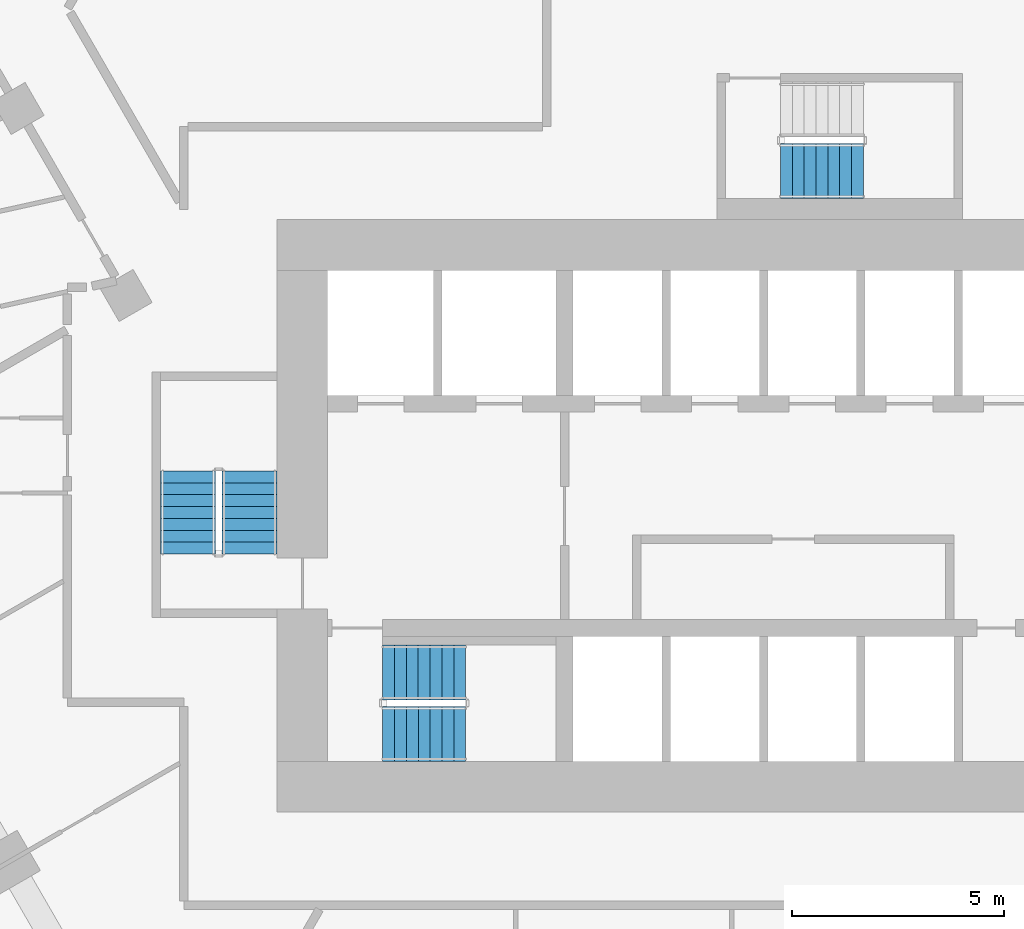
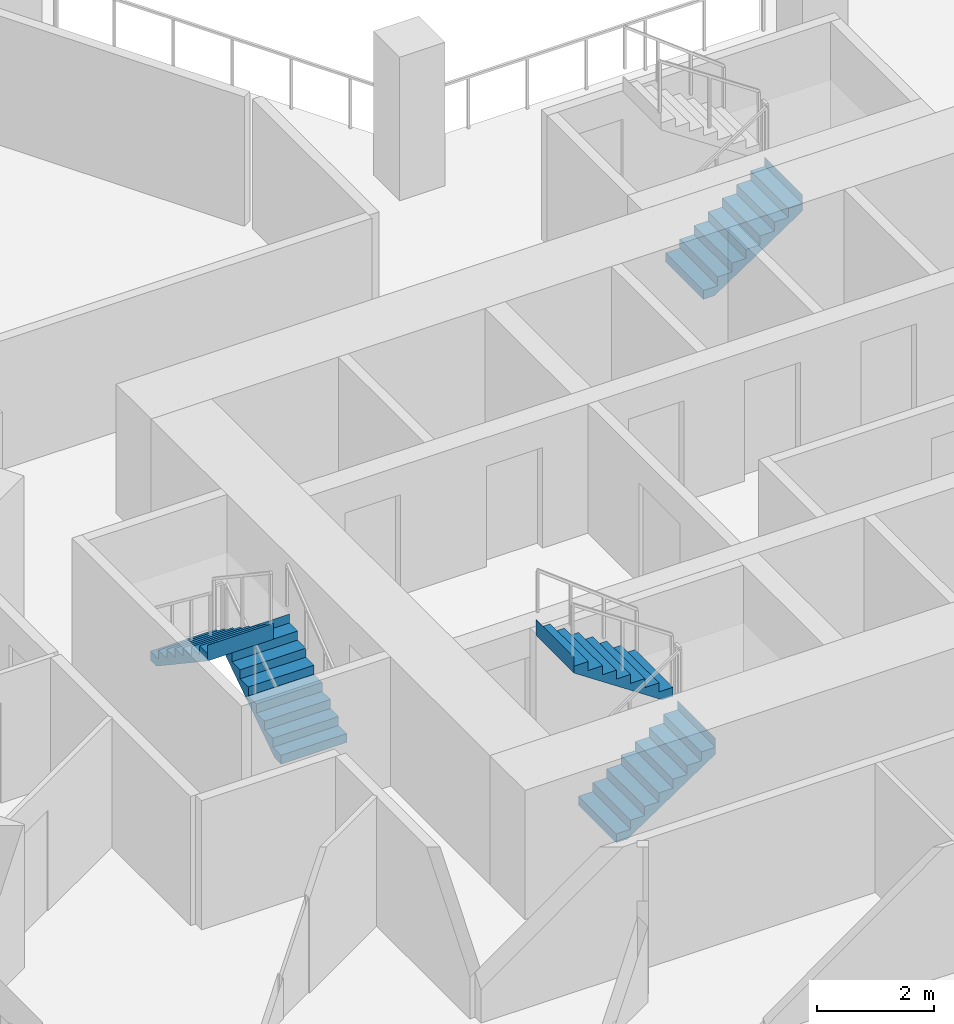
# One storey, part 11 of 16: 5 stair flights, 3 elements without a shape of their own.
"""IFC4 building model written with IfcOpenShell, lengths in metres."""

from ifc_helpers import new_model, si_unit, direction, frame, origin, place, context, subcontext, project, spatial, triangles, material, type_object, element, aggregate, save


model = new_model("IFC4")

# Units and contexts
model_context = context("Model", 3, precision=1e-05, world=origin(), true_north=direction((0.0, 1.0)))
body_context = subcontext(model_context, "Body", "Model", "MODEL_VIEW")
ifc_project = project(units=[si_unit("LENGTHUNIT", "METRE"), si_unit("AREAUNIT", "SQUARE_METRE"), si_unit("VOLUMEUNIT", "CUBIC_METRE"), si_unit("PLANEANGLEUNIT", "RADIAN"), si_unit("MASSUNIT", "GRAM", prefix="KILO")], contexts=[model_context])

# Site, building, storey
site_placement = place(None, origin())
site = spatial("IfcSite", under=ifc_project, at=site_placement, CompositionType="ELEMENT")
building_placement = place(site_placement, origin())
building = spatial("IfcBuilding", under=site, at=building_placement, Name="Beryl Residences", CompositionType="ELEMENT")
storey_placement = place(building_placement, frame((0.0, 0.0, 26.39990234375)))
storey = spatial("IfcBuildingStorey", under=building, at=storey_placement, Name="L07", CompositionType="ELEMENT", Elevation=26.39990234375)

# Stair, stair flights
ifc_material_1 = material(Name="Concrete C40/50", Category="concrete")
stair_type = type_object("IfcStairType", Name="ST1 protected exit stair, half-turn, 1300 mm flights", PredefinedType="HALF_TURN_STAIR", material=ifc_material_1)
stair_1_placement = place(storey_placement, origin())
stair_1 = element("IfcStair", 1, at=stair_1_placement, inside=storey, type_object=stair_type, Name="L07 PROTECTED EXIT STAIR ST-1", PredefinedType="HALF_TURN_STAIR")
ifc_material_2 = material(Name="Concrete C40/50", Category="concrete")
stair_flight_type = type_object("IfcStairFlightType", Name="SF1 stair flight 1300 mm", PredefinedType="STRAIGHT", material=ifc_material_2)
stair_flight_1_placement = place(storey_placement, frame((-10.800048828125, -17.14990234375, 0.0), z_axis=(0.0, 0.0, 1.0), x_axis=(1.0, 0.0, 0.0)))
stair_flight_1 = element("IfcStairFlight", 2, at=stair_flight_1_placement, type_object=stair_flight_type, Name="ST-1 flight 1", NumberOfRisers=8, NumberOfTreads=7, PredefinedType="STRAIGHT", RiserHeight=0.1875, TreadLength=0.28, context=body_context, shape_type="Tessellation", body=[
    triangles([(0.0, -0.64990234375, 0.0), (0.0, -0.324951171875, 0.0), (0.0, 0.0, 0.0), (0.0, 0.324951171875, 0.0), (0.0, 0.64990234375, 0.0), (0.0, -0.64990234375, 0.1875), (0.0, -0.324951171875, 0.1875), (0.0, 0.0, 0.1875), (0.0, 0.324951171875, 0.1875), (0.0, 0.64990234375, 0.1875), (0.280029296875, -0.64990234375, 0.1875), (0.280029296875, -0.324951171875, 0.1875), (0.280029296875, 0.0, 0.1875), (0.280029296875, 0.324951171875, 0.1875), (0.280029296875, 0.64990234375, 0.1875), (0.280029296875, -0.64990234375, 0.375), (0.280029296875, -0.324951171875, 0.375), (0.280029296875, 0.0, 0.375), (0.280029296875, 0.324951171875, 0.375), (0.280029296875, 0.64990234375, 0.375), (0.56005859375, -0.64990234375, 0.375), (0.56005859375, -0.324951171875, 0.375), (0.56005859375, 0.0, 0.375), (0.56005859375, 0.324951171875, 0.375), (0.56005859375, 0.64990234375, 0.375), (0.56005859375, -0.64990234375, 0.5625), (0.56005859375, -0.324951171875, 0.5625), (0.56005859375, 0.0, 0.5625), (0.56005859375, 0.324951171875, 0.5625), (0.56005859375, 0.64990234375, 0.5625), (0.840087890625, -0.64990234375, 0.5625), (0.840087890625, -0.324951171875, 0.5625), (0.840087890625, 0.0, 0.5625), (0.840087890625, 0.324951171875, 0.5625), (0.840087890625, 0.64990234375, 0.5625), (0.840087890625, -0.64990234375, 0.75), (0.840087890625, -0.324951171875, 0.75), (0.840087890625, 0.0, 0.75), (0.840087890625, 0.324951171875, 0.75), (0.840087890625, 0.64990234375, 0.75), (1.1201171875, -0.64990234375, 0.75), (1.1201171875, -0.324951171875, 0.75), (1.1201171875, 0.0, 0.75), (1.1201171875, 0.324951171875, 0.75), (1.1201171875, 0.64990234375, 0.75), (1.1201171875, -0.64990234375, 0.9375), (1.1201171875, -0.324951171875, 0.9375), (1.1201171875, 0.0, 0.9375), (1.1201171875, 0.324951171875, 0.9375), (1.1201171875, 0.64990234375, 0.9375), (1.39990234375, -0.64990234375, 0.9375), (1.39990234375, -0.324951171875, 0.9375), (1.39990234375, 0.0, 0.9375), (1.39990234375, 0.324951171875, 0.9375), (1.39990234375, 0.64990234375, 0.9375), (1.39990234375, -0.64990234375, 1.125), (1.39990234375, -0.324951171875, 1.125), (1.39990234375, 0.0, 1.125), (1.39990234375, 0.324951171875, 1.125), (1.39990234375, 0.64990234375, 1.125), (1.679931640625, -0.64990234375, 1.125), (1.679931640625, -0.324951171875, 1.125), (1.679931640625, 0.0, 1.125), (1.679931640625, 0.324951171875, 1.125), (1.679931640625, 0.64990234375, 1.125), (1.679931640625, -0.64990234375, 1.3125), (1.679931640625, -0.324951171875, 1.3125), (1.679931640625, 0.0, 1.3125), (1.679931640625, 0.324951171875, 1.3125), (1.679931640625, 0.64990234375, 1.3125), (1.9599609375, -0.64990234375, 1.3125), (1.9599609375, -0.324951171875, 1.3125), (1.9599609375, 0.0, 1.3125), (1.9599609375, 0.324951171875, 1.3125), (1.9599609375, 0.64990234375, 1.3125), (1.9599609375, -0.64990234375, 1.5), (1.9599609375, -0.324951171875, 1.5), (1.9599609375, 0.0, 1.5), (1.9599609375, 0.324951171875, 1.5), (1.9599609375, 0.64990234375, 1.5), (1.9609375, -0.64990234375, 1.5), (1.9609375, -0.324951171875, 1.5), (1.9609375, 0.0, 1.5), (1.9609375, 0.324951171875, 1.5), (1.9609375, 0.64990234375, 1.5), (1.9609375, -0.64990234375, 1.16796875), (1.9609375, -0.324951171875, 1.16796875), (1.9609375, 0.0, 1.16796875), (1.9609375, 0.324951171875, 1.16796875), (1.9609375, 0.64990234375, 1.16796875), (0.216796875, -0.64990234375, 0.0), (0.216796875, -0.324951171875, 0.0), (0.216796875, 0.0, 0.0), (0.216796875, 0.324951171875, 0.0), (0.216796875, 0.64990234375, 0.0)], [[1, 6, 7], [1, 7, 2], [2, 7, 8], [2, 8, 3], [3, 8, 9], [3, 9, 4], [4, 9, 10], [4, 10, 5], [6, 11, 12], [6, 12, 7], [7, 12, 13], [7, 13, 8], [8, 13, 14], [8, 14, 9], [9, 14, 15], [9, 15, 10], [11, 16, 17], [11, 17, 12], [12, 17, 18], [12, 18, 13], [13, 18, 19], [13, 19, 14], [14, 19, 20], [14, 20, 15], [16, 21, 22], [16, 22, 17], [17, 22, 23], [17, 23, 18], [18, 23, 24], [18, 24, 19], [19, 24, 25], [19, 25, 20], [21, 26, 27], [21, 27, 22], [22, 27, 28], [22, 28, 23], [23, 28, 29], [23, 29, 24], [24, 29, 30], [24, 30, 25], [26, 31, 32], [26, 32, 27], [27, 32, 33], [27, 33, 28], [28, 33, 34], [28, 34, 29], [29, 34, 35], [29, 35, 30], [31, 36, 37], [31, 37, 32], [32, 37, 38], [32, 38, 33], [33, 38, 39], [33, 39, 34], [34, 39, 40], [34, 40, 35], [36, 41, 42], [36, 42, 37], [37, 42, 43], [37, 43, 38], [38, 43, 44], [38, 44, 39], [39, 44, 45], [39, 45, 40], [41, 46, 47], [41, 47, 42], [42, 47, 48], [42, 48, 43], [43, 48, 49], [43, 49, 44], [44, 49, 50], [44, 50, 45], [46, 51, 52], [46, 52, 47], [47, 52, 53], [47, 53, 48], [48, 53, 54], [48, 54, 49], [49, 54, 55], [49, 55, 50], [51, 56, 57], [51, 57, 52], [52, 57, 58], [52, 58, 53], [53, 58, 59], [53, 59, 54], [54, 59, 60], [54, 60, 55], [56, 61, 62], [56, 62, 57], [57, 62, 63], [57, 63, 58], [58, 63, 64], [58, 64, 59], [59, 64, 65], [59, 65, 60], [61, 66, 67], [61, 67, 62], [62, 67, 68], [62, 68, 63], [63, 68, 69], [63, 69, 64], [64, 69, 70], [64, 70, 65], [66, 71, 72], [66, 72, 67], [67, 72, 73], [67, 73, 68], [68, 73, 74], [68, 74, 69], [69, 74, 75], [69, 75, 70], [71, 76, 77], [71, 77, 72], [72, 77, 78], [72, 78, 73], [73, 78, 79], [73, 79, 74], [74, 79, 80], [74, 80, 75], [76, 81, 82], [76, 82, 77], [77, 82, 83], [77, 83, 78], [78, 83, 84], [78, 84, 79], [79, 84, 85], [79, 85, 80], [81, 86, 87], [81, 87, 82], [82, 87, 88], [82, 88, 83], [83, 88, 89], [83, 89, 84], [84, 89, 90], [84, 90, 85], [86, 91, 92], [86, 92, 87], [87, 92, 93], [87, 93, 88], [88, 93, 94], [88, 94, 89], [89, 94, 95], [89, 95, 90], [91, 1, 2], [91, 2, 92], [92, 2, 3], [92, 3, 93], [93, 3, 4], [93, 4, 94], [94, 4, 5], [94, 5, 95], [1, 91, 86], [5, 90, 95], [86, 81, 76], [90, 80, 85], [86, 76, 71], [90, 75, 80], [86, 71, 66], [90, 70, 75], [86, 66, 61], [90, 65, 70], [61, 56, 51], [65, 55, 60], [86, 61, 51], [90, 55, 65], [51, 46, 41], [55, 45, 50], [86, 51, 41], [90, 45, 55], [41, 36, 31], [45, 35, 40], [86, 41, 31], [90, 35, 45], [31, 26, 21], [35, 25, 30], [86, 31, 21], [90, 25, 35], [21, 16, 11], [25, 15, 20], [86, 21, 11], [90, 15, 25], [1, 86, 11], [5, 15, 90], [11, 6, 1], [15, 5, 10]], closed=True),
])
stair_flight_2_placement = place(storey_placement, frame((-8.840087890625, -15.699951171875, 1.5), z_axis=(0.0, 0.0, 1.0), x_axis=(-1.0, 0.0, 0.0)))
stair_flight_2 = element("IfcStairFlight", 3, at=stair_flight_2_placement, type_object=stair_flight_type, Name="ST-1 flight 2", NumberOfRisers=8, NumberOfTreads=7, PredefinedType="STRAIGHT", RiserHeight=0.1875, TreadLength=0.28, context=body_context, shape_type="Tessellation", body=[
    triangles([(0.0, -0.64990234375, 0.0), (0.0, -0.324951171875, 0.0), (0.0, 0.0, 0.0), (0.0, 0.324951171875, 0.0), (0.0, 0.64990234375, 0.0), (0.0, -0.64990234375, 0.1875), (0.0, -0.324951171875, 0.1875), (0.0, 0.0, 0.1875), (0.0, 0.324951171875, 0.1875), (0.0, 0.64990234375, 0.1875), (0.280029296875, -0.64990234375, 0.1875), (0.280029296875, -0.324951171875, 0.1875), (0.280029296875, 0.0, 0.1875), (0.280029296875, 0.324951171875, 0.1875), (0.280029296875, 0.64990234375, 0.1875), (0.280029296875, -0.64990234375, 0.375), (0.280029296875, -0.324951171875, 0.375), (0.280029296875, 0.0, 0.375), (0.280029296875, 0.324951171875, 0.375), (0.280029296875, 0.64990234375, 0.375), (0.56005859375, -0.64990234375, 0.375), (0.56005859375, -0.324951171875, 0.375), (0.56005859375, 0.0, 0.375), (0.56005859375, 0.324951171875, 0.375), (0.56005859375, 0.64990234375, 0.375), (0.56005859375, -0.64990234375, 0.5625), (0.56005859375, -0.324951171875, 0.5625), (0.56005859375, 0.0, 0.5625), (0.56005859375, 0.324951171875, 0.5625), (0.56005859375, 0.64990234375, 0.5625), (0.840087890625, -0.64990234375, 0.5625), (0.840087890625, -0.324951171875, 0.5625), (0.840087890625, 0.0, 0.5625), (0.840087890625, 0.324951171875, 0.5625), (0.840087890625, 0.64990234375, 0.5625), (0.840087890625, -0.64990234375, 0.75), (0.840087890625, -0.324951171875, 0.75), (0.840087890625, 0.0, 0.75), (0.840087890625, 0.324951171875, 0.75), (0.840087890625, 0.64990234375, 0.75), (1.1201171875, -0.64990234375, 0.75), (1.1201171875, -0.324951171875, 0.75), (1.1201171875, 0.0, 0.75), (1.1201171875, 0.324951171875, 0.75), (1.1201171875, 0.64990234375, 0.75), (1.1201171875, -0.64990234375, 0.9375), (1.1201171875, -0.324951171875, 0.9375), (1.1201171875, 0.0, 0.9375), (1.1201171875, 0.324951171875, 0.9375), (1.1201171875, 0.64990234375, 0.9375), (1.39990234375, -0.64990234375, 0.9375), (1.39990234375, -0.324951171875, 0.9375), (1.39990234375, 0.0, 0.9375), (1.39990234375, 0.324951171875, 0.9375), (1.39990234375, 0.64990234375, 0.9375), (1.39990234375, -0.64990234375, 1.125), (1.39990234375, -0.324951171875, 1.125), (1.39990234375, 0.0, 1.125), (1.39990234375, 0.324951171875, 1.125), (1.39990234375, 0.64990234375, 1.125), (1.679931640625, -0.64990234375, 1.125), (1.679931640625, -0.324951171875, 1.125), (1.679931640625, 0.0, 1.125), (1.679931640625, 0.324951171875, 1.125), (1.679931640625, 0.64990234375, 1.125), (1.679931640625, -0.64990234375, 1.3125), (1.679931640625, -0.324951171875, 1.3125), (1.679931640625, 0.0, 1.3125), (1.679931640625, 0.324951171875, 1.3125), (1.679931640625, 0.64990234375, 1.3125), (1.9599609375, -0.64990234375, 1.3125), (1.9599609375, -0.324951171875, 1.3125), (1.9599609375, 0.0, 1.3125), (1.9599609375, 0.324951171875, 1.3125), (1.9599609375, 0.64990234375, 1.3125), (1.9599609375, -0.64990234375, 1.5), (1.9599609375, -0.324951171875, 1.5), (1.9599609375, 0.0, 1.5), (1.9599609375, 0.324951171875, 1.5), (1.9599609375, 0.64990234375, 1.5), (1.9609375, -0.64990234375, 1.5), (1.9609375, -0.324951171875, 1.5), (1.9609375, 0.0, 1.5), (1.9609375, 0.324951171875, 1.5), (1.9609375, 0.64990234375, 1.5), (1.9609375, -0.64990234375, 1.16796875), (1.9609375, -0.324951171875, 1.16796875), (1.9609375, 0.0, 1.16796875), (1.9609375, 0.324951171875, 1.16796875), (1.9609375, 0.64990234375, 1.16796875), (0.216796875, -0.64990234375, 0.0), (0.216796875, -0.324951171875, 0.0), (0.216796875, 0.0, 0.0), (0.216796875, 0.324951171875, 0.0), (0.216796875, 0.64990234375, 0.0)], [[1, 6, 7], [1, 7, 2], [2, 7, 8], [2, 8, 3], [3, 8, 9], [3, 9, 4], [4, 9, 10], [4, 10, 5], [6, 11, 12], [6, 12, 7], [7, 12, 13], [7, 13, 8], [8, 13, 14], [8, 14, 9], [9, 14, 15], [9, 15, 10], [11, 16, 17], [11, 17, 12], [12, 17, 18], [12, 18, 13], [13, 18, 19], [13, 19, 14], [14, 19, 20], [14, 20, 15], [16, 21, 22], [16, 22, 17], [17, 22, 23], [17, 23, 18], [18, 23, 24], [18, 24, 19], [19, 24, 25], [19, 25, 20], [21, 26, 27], [21, 27, 22], [22, 27, 28], [22, 28, 23], [23, 28, 29], [23, 29, 24], [24, 29, 30], [24, 30, 25], [26, 31, 32], [26, 32, 27], [27, 32, 33], [27, 33, 28], [28, 33, 34], [28, 34, 29], [29, 34, 35], [29, 35, 30], [31, 36, 37], [31, 37, 32], [32, 37, 38], [32, 38, 33], [33, 38, 39], [33, 39, 34], [34, 39, 40], [34, 40, 35], [36, 41, 42], [36, 42, 37], [37, 42, 43], [37, 43, 38], [38, 43, 44], [38, 44, 39], [39, 44, 45], [39, 45, 40], [41, 46, 47], [41, 47, 42], [42, 47, 48], [42, 48, 43], [43, 48, 49], [43, 49, 44], [44, 49, 50], [44, 50, 45], [46, 51, 52], [46, 52, 47], [47, 52, 53], [47, 53, 48], [48, 53, 54], [48, 54, 49], [49, 54, 55], [49, 55, 50], [51, 56, 57], [51, 57, 52], [52, 57, 58], [52, 58, 53], [53, 58, 59], [53, 59, 54], [54, 59, 60], [54, 60, 55], [56, 61, 62], [56, 62, 57], [57, 62, 63], [57, 63, 58], [58, 63, 64], [58, 64, 59], [59, 64, 65], [59, 65, 60], [61, 66, 67], [61, 67, 62], [62, 67, 68], [62, 68, 63], [63, 68, 69], [63, 69, 64], [64, 69, 70], [64, 70, 65], [66, 71, 72], [66, 72, 67], [67, 72, 73], [67, 73, 68], [68, 73, 74], [68, 74, 69], [69, 74, 75], [69, 75, 70], [71, 76, 77], [71, 77, 72], [72, 77, 78], [72, 78, 73], [73, 78, 79], [73, 79, 74], [74, 79, 80], [74, 80, 75], [76, 81, 82], [76, 82, 77], [77, 82, 83], [77, 83, 78], [78, 83, 84], [78, 84, 79], [79, 84, 85], [79, 85, 80], [81, 86, 87], [81, 87, 82], [82, 87, 88], [82, 88, 83], [83, 88, 89], [83, 89, 84], [84, 89, 90], [84, 90, 85], [86, 91, 92], [86, 92, 87], [87, 92, 93], [87, 93, 88], [88, 93, 94], [88, 94, 89], [89, 94, 95], [89, 95, 90], [91, 1, 2], [91, 2, 92], [92, 2, 3], [92, 3, 93], [93, 3, 4], [93, 4, 94], [94, 4, 5], [94, 5, 95], [1, 91, 86], [5, 90, 95], [86, 81, 76], [90, 80, 85], [86, 76, 71], [90, 75, 80], [86, 71, 66], [90, 70, 75], [86, 66, 61], [90, 65, 70], [61, 56, 51], [65, 55, 60], [86, 61, 51], [90, 55, 65], [51, 46, 41], [55, 45, 50], [86, 51, 41], [90, 45, 55], [41, 36, 31], [45, 35, 40], [86, 41, 31], [90, 35, 45], [31, 26, 21], [35, 25, 30], [86, 31, 21], [90, 25, 35], [21, 16, 11], [25, 15, 20], [86, 21, 11], [90, 15, 25], [1, 86, 11], [5, 15, 90], [11, 6, 1], [15, 5, 10]], closed=True),
])
aggregate(stair_1, [stair_flight_1, stair_flight_2])

stair_2_placement = place(storey_placement, origin())
stair_2 = element("IfcStair", 4, at=stair_2_placement, inside=storey, type_object=stair_type, Name="L07 PROTECTED EXIT STAIR ST-2", PredefinedType="HALF_TURN_STAIR")
stair_flight_3_placement = place(storey_placement, frame((-13.949951171875, -12.89990234375, 0.0), z_axis=(0.0, 0.0, 1.0), x_axis=(0.0, 1.0, 0.0)))
stair_flight_3 = element("IfcStairFlight", 5, at=stair_flight_3_placement, type_object=stair_flight_type, Name="ST-2 flight 1", NumberOfRisers=8, NumberOfTreads=7, PredefinedType="STRAIGHT", RiserHeight=0.1875, TreadLength=0.28, context=body_context, shape_type="Tessellation", body=[
    triangles([(0.0, -0.64990234375, 0.0), (0.0, -0.324951171875, 0.0), (0.0, 0.0, 0.0), (0.0, 0.324951171875, 0.0), (0.0, 0.64990234375, 0.0), (0.0, -0.64990234375, 0.1875), (0.0, -0.324951171875, 0.1875), (0.0, 0.0, 0.1875), (0.0, 0.324951171875, 0.1875), (0.0, 0.64990234375, 0.1875), (0.280029296875, -0.64990234375, 0.1875), (0.280029296875, -0.324951171875, 0.1875), (0.280029296875, 0.0, 0.1875), (0.280029296875, 0.324951171875, 0.1875), (0.280029296875, 0.64990234375, 0.1875), (0.280029296875, -0.64990234375, 0.375), (0.280029296875, -0.324951171875, 0.375), (0.280029296875, 0.0, 0.375), (0.280029296875, 0.324951171875, 0.375), (0.280029296875, 0.64990234375, 0.375), (0.56005859375, -0.64990234375, 0.375), (0.56005859375, -0.324951171875, 0.375), (0.56005859375, 0.0, 0.375), (0.56005859375, 0.324951171875, 0.375), (0.56005859375, 0.64990234375, 0.375), (0.56005859375, -0.64990234375, 0.5625), (0.56005859375, -0.324951171875, 0.5625), (0.56005859375, 0.0, 0.5625), (0.56005859375, 0.324951171875, 0.5625), (0.56005859375, 0.64990234375, 0.5625), (0.840087890625, -0.64990234375, 0.5625), (0.840087890625, -0.324951171875, 0.5625), (0.840087890625, 0.0, 0.5625), (0.840087890625, 0.324951171875, 0.5625), (0.840087890625, 0.64990234375, 0.5625), (0.840087890625, -0.64990234375, 0.75), (0.840087890625, -0.324951171875, 0.75), (0.840087890625, 0.0, 0.75), (0.840087890625, 0.324951171875, 0.75), (0.840087890625, 0.64990234375, 0.75), (1.1201171875, -0.64990234375, 0.75), (1.1201171875, -0.324951171875, 0.75), (1.1201171875, 0.0, 0.75), (1.1201171875, 0.324951171875, 0.75), (1.1201171875, 0.64990234375, 0.75), (1.1201171875, -0.64990234375, 0.9375), (1.1201171875, -0.324951171875, 0.9375), (1.1201171875, 0.0, 0.9375), (1.1201171875, 0.324951171875, 0.9375), (1.1201171875, 0.64990234375, 0.9375), (1.39990234375, -0.64990234375, 0.9375), (1.39990234375, -0.324951171875, 0.9375), (1.39990234375, 0.0, 0.9375), (1.39990234375, 0.324951171875, 0.9375), (1.39990234375, 0.64990234375, 0.9375), (1.39990234375, -0.64990234375, 1.125), (1.39990234375, -0.324951171875, 1.125), (1.39990234375, 0.0, 1.125), (1.39990234375, 0.324951171875, 1.125), (1.39990234375, 0.64990234375, 1.125), (1.679931640625, -0.64990234375, 1.125), (1.679931640625, -0.324951171875, 1.125), (1.679931640625, 0.0, 1.125), (1.679931640625, 0.324951171875, 1.125), (1.679931640625, 0.64990234375, 1.125), (1.679931640625, -0.64990234375, 1.3125), (1.679931640625, -0.324951171875, 1.3125), (1.679931640625, 0.0, 1.3125), (1.679931640625, 0.324951171875, 1.3125), (1.679931640625, 0.64990234375, 1.3125), (1.9599609375, -0.64990234375, 1.3125), (1.9599609375, -0.324951171875, 1.3125), (1.9599609375, 0.0, 1.3125), (1.9599609375, 0.324951171875, 1.3125), (1.9599609375, 0.64990234375, 1.3125), (1.9599609375, -0.64990234375, 1.5), (1.9599609375, -0.324951171875, 1.5), (1.9599609375, 0.0, 1.5), (1.9599609375, 0.324951171875, 1.5), (1.9599609375, 0.64990234375, 1.5), (1.9609375, -0.64990234375, 1.5), (1.9609375, -0.324951171875, 1.5), (1.9609375, 0.0, 1.5), (1.9609375, 0.324951171875, 1.5), (1.9609375, 0.64990234375, 1.5), (1.9609375, -0.64990234375, 1.16796875), (1.9609375, -0.324951171875, 1.16796875), (1.9609375, 0.0, 1.16796875), (1.9609375, 0.324951171875, 1.16796875), (1.9609375, 0.64990234375, 1.16796875), (0.216796875, -0.64990234375, 0.0), (0.216796875, -0.324951171875, 0.0), (0.216796875, 0.0, 0.0), (0.216796875, 0.324951171875, 0.0), (0.216796875, 0.64990234375, 0.0)], [[1, 6, 7], [1, 7, 2], [2, 7, 8], [2, 8, 3], [3, 8, 9], [3, 9, 4], [4, 9, 10], [4, 10, 5], [6, 11, 12], [6, 12, 7], [7, 12, 13], [7, 13, 8], [8, 13, 14], [8, 14, 9], [9, 14, 15], [9, 15, 10], [11, 16, 17], [11, 17, 12], [12, 17, 18], [12, 18, 13], [13, 18, 19], [13, 19, 14], [14, 19, 20], [14, 20, 15], [16, 21, 22], [16, 22, 17], [17, 22, 23], [17, 23, 18], [18, 23, 24], [18, 24, 19], [19, 24, 25], [19, 25, 20], [21, 26, 27], [21, 27, 22], [22, 27, 28], [22, 28, 23], [23, 28, 29], [23, 29, 24], [24, 29, 30], [24, 30, 25], [26, 31, 32], [26, 32, 27], [27, 32, 33], [27, 33, 28], [28, 33, 34], [28, 34, 29], [29, 34, 35], [29, 35, 30], [31, 36, 37], [31, 37, 32], [32, 37, 38], [32, 38, 33], [33, 38, 39], [33, 39, 34], [34, 39, 40], [34, 40, 35], [36, 41, 42], [36, 42, 37], [37, 42, 43], [37, 43, 38], [38, 43, 44], [38, 44, 39], [39, 44, 45], [39, 45, 40], [41, 46, 47], [41, 47, 42], [42, 47, 48], [42, 48, 43], [43, 48, 49], [43, 49, 44], [44, 49, 50], [44, 50, 45], [46, 51, 52], [46, 52, 47], [47, 52, 53], [47, 53, 48], [48, 53, 54], [48, 54, 49], [49, 54, 55], [49, 55, 50], [51, 56, 57], [51, 57, 52], [52, 57, 58], [52, 58, 53], [53, 58, 59], [53, 59, 54], [54, 59, 60], [54, 60, 55], [56, 61, 62], [56, 62, 57], [57, 62, 63], [57, 63, 58], [58, 63, 64], [58, 64, 59], [59, 64, 65], [59, 65, 60], [61, 66, 67], [61, 67, 62], [62, 67, 68], [62, 68, 63], [63, 68, 69], [63, 69, 64], [64, 69, 70], [64, 70, 65], [66, 71, 72], [66, 72, 67], [67, 72, 73], [67, 73, 68], [68, 73, 74], [68, 74, 69], [69, 74, 75], [69, 75, 70], [71, 76, 77], [71, 77, 72], [72, 77, 78], [72, 78, 73], [73, 78, 79], [73, 79, 74], [74, 79, 80], [74, 80, 75], [76, 81, 82], [76, 82, 77], [77, 82, 83], [77, 83, 78], [78, 83, 84], [78, 84, 79], [79, 84, 85], [79, 85, 80], [81, 86, 87], [81, 87, 82], [82, 87, 88], [82, 88, 83], [83, 88, 89], [83, 89, 84], [84, 89, 90], [84, 90, 85], [86, 91, 92], [86, 92, 87], [87, 92, 93], [87, 93, 88], [88, 93, 94], [88, 94, 89], [89, 94, 95], [89, 95, 90], [91, 1, 2], [91, 2, 92], [92, 2, 3], [92, 3, 93], [93, 3, 4], [93, 4, 94], [94, 4, 5], [94, 5, 95], [1, 91, 86], [5, 90, 95], [86, 81, 76], [90, 80, 85], [86, 76, 71], [90, 75, 80], [86, 71, 66], [90, 70, 75], [86, 66, 61], [90, 65, 70], [61, 56, 51], [65, 55, 60], [86, 61, 51], [90, 55, 65], [51, 46, 41], [55, 45, 50], [86, 51, 41], [90, 45, 55], [41, 36, 31], [45, 35, 40], [86, 41, 31], [90, 35, 45], [31, 26, 21], [35, 25, 30], [86, 31, 21], [90, 25, 35], [21, 16, 11], [25, 15, 20], [86, 21, 11], [90, 15, 25], [1, 86, 11], [5, 15, 90], [11, 6, 1], [15, 5, 10]], closed=True),
])
stair_flight_4_placement = place(storey_placement, frame((-15.39990234375, -10.93994140625, 1.5), z_axis=(0.0, 0.0, 1.0), x_axis=(0.0, -1.0, 0.0)))
stair_flight_4 = element("IfcStairFlight", 6, at=stair_flight_4_placement, type_object=stair_flight_type, Name="ST-2 flight 2", NumberOfRisers=8, NumberOfTreads=7, PredefinedType="STRAIGHT", RiserHeight=0.1875, TreadLength=0.28, context=body_context, shape_type="Tessellation", body=[
    triangles([(0.0, -0.64990234375, 0.0), (0.0, -0.324951171875, 0.0), (0.0, 0.0, 0.0), (0.0, 0.324951171875, 0.0), (0.0, 0.64990234375, 0.0), (0.0, -0.64990234375, 0.1875), (0.0, -0.324951171875, 0.1875), (0.0, 0.0, 0.1875), (0.0, 0.324951171875, 0.1875), (0.0, 0.64990234375, 0.1875), (0.280029296875, -0.64990234375, 0.1875), (0.280029296875, -0.324951171875, 0.1875), (0.280029296875, 0.0, 0.1875), (0.280029296875, 0.324951171875, 0.1875), (0.280029296875, 0.64990234375, 0.1875), (0.280029296875, -0.64990234375, 0.375), (0.280029296875, -0.324951171875, 0.375), (0.280029296875, 0.0, 0.375), (0.280029296875, 0.324951171875, 0.375), (0.280029296875, 0.64990234375, 0.375), (0.56005859375, -0.64990234375, 0.375), (0.56005859375, -0.324951171875, 0.375), (0.56005859375, 0.0, 0.375), (0.56005859375, 0.324951171875, 0.375), (0.56005859375, 0.64990234375, 0.375), (0.56005859375, -0.64990234375, 0.5625), (0.56005859375, -0.324951171875, 0.5625), (0.56005859375, 0.0, 0.5625), (0.56005859375, 0.324951171875, 0.5625), (0.56005859375, 0.64990234375, 0.5625), (0.840087890625, -0.64990234375, 0.5625), (0.840087890625, -0.324951171875, 0.5625), (0.840087890625, 0.0, 0.5625), (0.840087890625, 0.324951171875, 0.5625), (0.840087890625, 0.64990234375, 0.5625), (0.840087890625, -0.64990234375, 0.75), (0.840087890625, -0.324951171875, 0.75), (0.840087890625, 0.0, 0.75), (0.840087890625, 0.324951171875, 0.75), (0.840087890625, 0.64990234375, 0.75), (1.1201171875, -0.64990234375, 0.75), (1.1201171875, -0.324951171875, 0.75), (1.1201171875, 0.0, 0.75), (1.1201171875, 0.324951171875, 0.75), (1.1201171875, 0.64990234375, 0.75), (1.1201171875, -0.64990234375, 0.9375), (1.1201171875, -0.324951171875, 0.9375), (1.1201171875, 0.0, 0.9375), (1.1201171875, 0.324951171875, 0.9375), (1.1201171875, 0.64990234375, 0.9375), (1.39990234375, -0.64990234375, 0.9375), (1.39990234375, -0.324951171875, 0.9375), (1.39990234375, 0.0, 0.9375), (1.39990234375, 0.324951171875, 0.9375), (1.39990234375, 0.64990234375, 0.9375), (1.39990234375, -0.64990234375, 1.125), (1.39990234375, -0.324951171875, 1.125), (1.39990234375, 0.0, 1.125), (1.39990234375, 0.324951171875, 1.125), (1.39990234375, 0.64990234375, 1.125), (1.679931640625, -0.64990234375, 1.125), (1.679931640625, -0.324951171875, 1.125), (1.679931640625, 0.0, 1.125), (1.679931640625, 0.324951171875, 1.125), (1.679931640625, 0.64990234375, 1.125), (1.679931640625, -0.64990234375, 1.3125), (1.679931640625, -0.324951171875, 1.3125), (1.679931640625, 0.0, 1.3125), (1.679931640625, 0.324951171875, 1.3125), (1.679931640625, 0.64990234375, 1.3125), (1.9599609375, -0.64990234375, 1.3125), (1.9599609375, -0.324951171875, 1.3125), (1.9599609375, 0.0, 1.3125), (1.9599609375, 0.324951171875, 1.3125), (1.9599609375, 0.64990234375, 1.3125), (1.9599609375, -0.64990234375, 1.5), (1.9599609375, -0.324951171875, 1.5), (1.9599609375, 0.0, 1.5), (1.9599609375, 0.324951171875, 1.5), (1.9599609375, 0.64990234375, 1.5), (1.9609375, -0.64990234375, 1.5), (1.9609375, -0.324951171875, 1.5), (1.9609375, 0.0, 1.5), (1.9609375, 0.324951171875, 1.5), (1.9609375, 0.64990234375, 1.5), (1.9609375, -0.64990234375, 1.16796875), (1.9609375, -0.324951171875, 1.16796875), (1.9609375, 0.0, 1.16796875), (1.9609375, 0.324951171875, 1.16796875), (1.9609375, 0.64990234375, 1.16796875), (0.216796875, -0.64990234375, 0.0), (0.216796875, -0.324951171875, 0.0), (0.216796875, 0.0, 0.0), (0.216796875, 0.324951171875, 0.0), (0.216796875, 0.64990234375, 0.0)], [[1, 6, 7], [1, 7, 2], [2, 7, 8], [2, 8, 3], [3, 8, 9], [3, 9, 4], [4, 9, 10], [4, 10, 5], [6, 11, 12], [6, 12, 7], [7, 12, 13], [7, 13, 8], [8, 13, 14], [8, 14, 9], [9, 14, 15], [9, 15, 10], [11, 16, 17], [11, 17, 12], [12, 17, 18], [12, 18, 13], [13, 18, 19], [13, 19, 14], [14, 19, 20], [14, 20, 15], [16, 21, 22], [16, 22, 17], [17, 22, 23], [17, 23, 18], [18, 23, 24], [18, 24, 19], [19, 24, 25], [19, 25, 20], [21, 26, 27], [21, 27, 22], [22, 27, 28], [22, 28, 23], [23, 28, 29], [23, 29, 24], [24, 29, 30], [24, 30, 25], [26, 31, 32], [26, 32, 27], [27, 32, 33], [27, 33, 28], [28, 33, 34], [28, 34, 29], [29, 34, 35], [29, 35, 30], [31, 36, 37], [31, 37, 32], [32, 37, 38], [32, 38, 33], [33, 38, 39], [33, 39, 34], [34, 39, 40], [34, 40, 35], [36, 41, 42], [36, 42, 37], [37, 42, 43], [37, 43, 38], [38, 43, 44], [38, 44, 39], [39, 44, 45], [39, 45, 40], [41, 46, 47], [41, 47, 42], [42, 47, 48], [42, 48, 43], [43, 48, 49], [43, 49, 44], [44, 49, 50], [44, 50, 45], [46, 51, 52], [46, 52, 47], [47, 52, 53], [47, 53, 48], [48, 53, 54], [48, 54, 49], [49, 54, 55], [49, 55, 50], [51, 56, 57], [51, 57, 52], [52, 57, 58], [52, 58, 53], [53, 58, 59], [53, 59, 54], [54, 59, 60], [54, 60, 55], [56, 61, 62], [56, 62, 57], [57, 62, 63], [57, 63, 58], [58, 63, 64], [58, 64, 59], [59, 64, 65], [59, 65, 60], [61, 66, 67], [61, 67, 62], [62, 67, 68], [62, 68, 63], [63, 68, 69], [63, 69, 64], [64, 69, 70], [64, 70, 65], [66, 71, 72], [66, 72, 67], [67, 72, 73], [67, 73, 68], [68, 73, 74], [68, 74, 69], [69, 74, 75], [69, 75, 70], [71, 76, 77], [71, 77, 72], [72, 77, 78], [72, 78, 73], [73, 78, 79], [73, 79, 74], [74, 79, 80], [74, 80, 75], [76, 81, 82], [76, 82, 77], [77, 82, 83], [77, 83, 78], [78, 83, 84], [78, 84, 79], [79, 84, 85], [79, 85, 80], [81, 86, 87], [81, 87, 82], [82, 87, 88], [82, 88, 83], [83, 88, 89], [83, 89, 84], [84, 89, 90], [84, 90, 85], [86, 91, 92], [86, 92, 87], [87, 92, 93], [87, 93, 88], [88, 93, 94], [88, 94, 89], [89, 94, 95], [89, 95, 90], [91, 1, 2], [91, 2, 92], [92, 2, 3], [92, 3, 93], [93, 3, 4], [93, 4, 94], [94, 4, 5], [94, 5, 95], [1, 91, 86], [5, 90, 95], [86, 81, 76], [90, 80, 85], [86, 76, 71], [90, 75, 80], [86, 71, 66], [90, 70, 75], [86, 66, 61], [90, 65, 70], [61, 56, 51], [65, 55, 60], [86, 61, 51], [90, 55, 65], [51, 46, 41], [55, 45, 50], [86, 51, 41], [90, 45, 55], [41, 36, 31], [45, 35, 40], [86, 41, 31], [90, 35, 45], [31, 26, 21], [35, 25, 30], [86, 31, 21], [90, 25, 35], [21, 16, 11], [25, 15, 20], [86, 21, 11], [90, 15, 25], [1, 86, 11], [5, 15, 90], [11, 6, 1], [15, 5, 10]], closed=True),
])
aggregate(stair_2, [stair_flight_3, stair_flight_4])

# Stair, stair flight
stair_3_placement = place(storey_placement, origin())
stair_3 = element("IfcStair", 7, at=stair_3_placement, inside=storey, type_object=stair_type, Name="L07 PROTECTED EXIT STAIR ST-4", PredefinedType="HALF_TURN_STAIR")
stair_flight_5_placement = place(storey_placement, frame((-1.39990234375, -3.85009765625, 0.0), z_axis=(0.0, 0.0, 1.0), x_axis=(1.0, 0.0, 0.0)))
stair_flight_5 = element("IfcStairFlight", 8, at=stair_flight_5_placement, type_object=stair_flight_type, Name="ST-4 flight 1", NumberOfRisers=8, NumberOfTreads=7, PredefinedType="STRAIGHT", RiserHeight=0.1875, TreadLength=0.28, context=body_context, shape_type="Tessellation", body=[
    triangles([(0.0, -0.64990234375, 0.0), (0.0, -0.324951171875, 0.0), (0.0, 0.0, 0.0), (0.0, 0.324951171875, 0.0), (0.0, 0.64990234375, 0.0), (0.0, -0.64990234375, 0.1875), (0.0, -0.324951171875, 0.1875), (0.0, 0.0, 0.1875), (0.0, 0.324951171875, 0.1875), (0.0, 0.64990234375, 0.1875), (0.280029296875, -0.64990234375, 0.1875), (0.280029296875, -0.324951171875, 0.1875), (0.280029296875, 0.0, 0.1875), (0.280029296875, 0.324951171875, 0.1875), (0.280029296875, 0.64990234375, 0.1875), (0.280029296875, -0.64990234375, 0.375), (0.280029296875, -0.324951171875, 0.375), (0.280029296875, 0.0, 0.375), (0.280029296875, 0.324951171875, 0.375), (0.280029296875, 0.64990234375, 0.375), (0.56005859375, -0.64990234375, 0.375), (0.56005859375, -0.324951171875, 0.375), (0.56005859375, 0.0, 0.375), (0.56005859375, 0.324951171875, 0.375), (0.56005859375, 0.64990234375, 0.375), (0.56005859375, -0.64990234375, 0.5625), (0.56005859375, -0.324951171875, 0.5625), (0.56005859375, 0.0, 0.5625), (0.56005859375, 0.324951171875, 0.5625), (0.56005859375, 0.64990234375, 0.5625), (0.840087890625, -0.64990234375, 0.5625), (0.840087890625, -0.324951171875, 0.5625), (0.840087890625, 0.0, 0.5625), (0.840087890625, 0.324951171875, 0.5625), (0.840087890625, 0.64990234375, 0.5625), (0.840087890625, -0.64990234375, 0.75), (0.840087890625, -0.324951171875, 0.75), (0.840087890625, 0.0, 0.75), (0.840087890625, 0.324951171875, 0.75), (0.840087890625, 0.64990234375, 0.75), (1.1201171875, -0.64990234375, 0.75), (1.1201171875, -0.324951171875, 0.75), (1.1201171875, 0.0, 0.75), (1.1201171875, 0.324951171875, 0.75), (1.1201171875, 0.64990234375, 0.75), (1.1201171875, -0.64990234375, 0.9375), (1.1201171875, -0.324951171875, 0.9375), (1.1201171875, 0.0, 0.9375), (1.1201171875, 0.324951171875, 0.9375), (1.1201171875, 0.64990234375, 0.9375), (1.39990234375, -0.64990234375, 0.9375), (1.39990234375, -0.324951171875, 0.9375), (1.39990234375, 0.0, 0.9375), (1.39990234375, 0.324951171875, 0.9375), (1.39990234375, 0.64990234375, 0.9375), (1.39990234375, -0.64990234375, 1.125), (1.39990234375, -0.324951171875, 1.125), (1.39990234375, 0.0, 1.125), (1.39990234375, 0.324951171875, 1.125), (1.39990234375, 0.64990234375, 1.125), (1.679931640625, -0.64990234375, 1.125), (1.679931640625, -0.324951171875, 1.125), (1.679931640625, 0.0, 1.125), (1.679931640625, 0.324951171875, 1.125), (1.679931640625, 0.64990234375, 1.125), (1.679931640625, -0.64990234375, 1.3125), (1.679931640625, -0.324951171875, 1.3125), (1.679931640625, 0.0, 1.3125), (1.679931640625, 0.324951171875, 1.3125), (1.679931640625, 0.64990234375, 1.3125), (1.9599609375, -0.64990234375, 1.3125), (1.9599609375, -0.324951171875, 1.3125), (1.9599609375, 0.0, 1.3125), (1.9599609375, 0.324951171875, 1.3125), (1.9599609375, 0.64990234375, 1.3125), (1.9599609375, -0.64990234375, 1.5), (1.9599609375, -0.324951171875, 1.5), (1.9599609375, 0.0, 1.5), (1.9599609375, 0.324951171875, 1.5), (1.9599609375, 0.64990234375, 1.5), (1.9609375, -0.64990234375, 1.5), (1.9609375, -0.324951171875, 1.5), (1.9609375, 0.0, 1.5), (1.9609375, 0.324951171875, 1.5), (1.9609375, 0.64990234375, 1.5), (1.9609375, -0.64990234375, 1.16796875), (1.9609375, -0.324951171875, 1.16796875), (1.9609375, 0.0, 1.16796875), (1.9609375, 0.324951171875, 1.16796875), (1.9609375, 0.64990234375, 1.16796875), (0.216796875, -0.64990234375, 0.0), (0.216796875, -0.324951171875, 0.0), (0.216796875, 0.0, 0.0), (0.216796875, 0.324951171875, 0.0), (0.216796875, 0.64990234375, 0.0)], [[1, 6, 7], [1, 7, 2], [2, 7, 8], [2, 8, 3], [3, 8, 9], [3, 9, 4], [4, 9, 10], [4, 10, 5], [6, 11, 12], [6, 12, 7], [7, 12, 13], [7, 13, 8], [8, 13, 14], [8, 14, 9], [9, 14, 15], [9, 15, 10], [11, 16, 17], [11, 17, 12], [12, 17, 18], [12, 18, 13], [13, 18, 19], [13, 19, 14], [14, 19, 20], [14, 20, 15], [16, 21, 22], [16, 22, 17], [17, 22, 23], [17, 23, 18], [18, 23, 24], [18, 24, 19], [19, 24, 25], [19, 25, 20], [21, 26, 27], [21, 27, 22], [22, 27, 28], [22, 28, 23], [23, 28, 29], [23, 29, 24], [24, 29, 30], [24, 30, 25], [26, 31, 32], [26, 32, 27], [27, 32, 33], [27, 33, 28], [28, 33, 34], [28, 34, 29], [29, 34, 35], [29, 35, 30], [31, 36, 37], [31, 37, 32], [32, 37, 38], [32, 38, 33], [33, 38, 39], [33, 39, 34], [34, 39, 40], [34, 40, 35], [36, 41, 42], [36, 42, 37], [37, 42, 43], [37, 43, 38], [38, 43, 44], [38, 44, 39], [39, 44, 45], [39, 45, 40], [41, 46, 47], [41, 47, 42], [42, 47, 48], [42, 48, 43], [43, 48, 49], [43, 49, 44], [44, 49, 50], [44, 50, 45], [46, 51, 52], [46, 52, 47], [47, 52, 53], [47, 53, 48], [48, 53, 54], [48, 54, 49], [49, 54, 55], [49, 55, 50], [51, 56, 57], [51, 57, 52], [52, 57, 58], [52, 58, 53], [53, 58, 59], [53, 59, 54], [54, 59, 60], [54, 60, 55], [56, 61, 62], [56, 62, 57], [57, 62, 63], [57, 63, 58], [58, 63, 64], [58, 64, 59], [59, 64, 65], [59, 65, 60], [61, 66, 67], [61, 67, 62], [62, 67, 68], [62, 68, 63], [63, 68, 69], [63, 69, 64], [64, 69, 70], [64, 70, 65], [66, 71, 72], [66, 72, 67], [67, 72, 73], [67, 73, 68], [68, 73, 74], [68, 74, 69], [69, 74, 75], [69, 75, 70], [71, 76, 77], [71, 77, 72], [72, 77, 78], [72, 78, 73], [73, 78, 79], [73, 79, 74], [74, 79, 80], [74, 80, 75], [76, 81, 82], [76, 82, 77], [77, 82, 83], [77, 83, 78], [78, 83, 84], [78, 84, 79], [79, 84, 85], [79, 85, 80], [81, 86, 87], [81, 87, 82], [82, 87, 88], [82, 88, 83], [83, 88, 89], [83, 89, 84], [84, 89, 90], [84, 90, 85], [86, 91, 92], [86, 92, 87], [87, 92, 93], [87, 93, 88], [88, 93, 94], [88, 94, 89], [89, 94, 95], [89, 95, 90], [91, 1, 2], [91, 2, 92], [92, 2, 3], [92, 3, 93], [93, 3, 4], [93, 4, 94], [94, 4, 5], [94, 5, 95], [1, 91, 86], [5, 90, 95], [86, 81, 76], [90, 80, 85], [86, 76, 71], [90, 75, 80], [86, 71, 66], [90, 70, 75], [86, 66, 61], [90, 65, 70], [61, 56, 51], [65, 55, 60], [86, 61, 51], [90, 55, 65], [51, 46, 41], [55, 45, 50], [86, 51, 41], [90, 45, 55], [41, 36, 31], [45, 35, 40], [86, 41, 31], [90, 35, 45], [31, 26, 21], [35, 25, 30], [86, 31, 21], [90, 25, 35], [21, 16, 11], [25, 15, 20], [86, 21, 11], [90, 15, 25], [1, 86, 11], [5, 15, 90], [11, 6, 1], [15, 5, 10]], closed=True),
])
aggregate(stair_3, [stair_flight_5])

save(model, "model.ifc")
